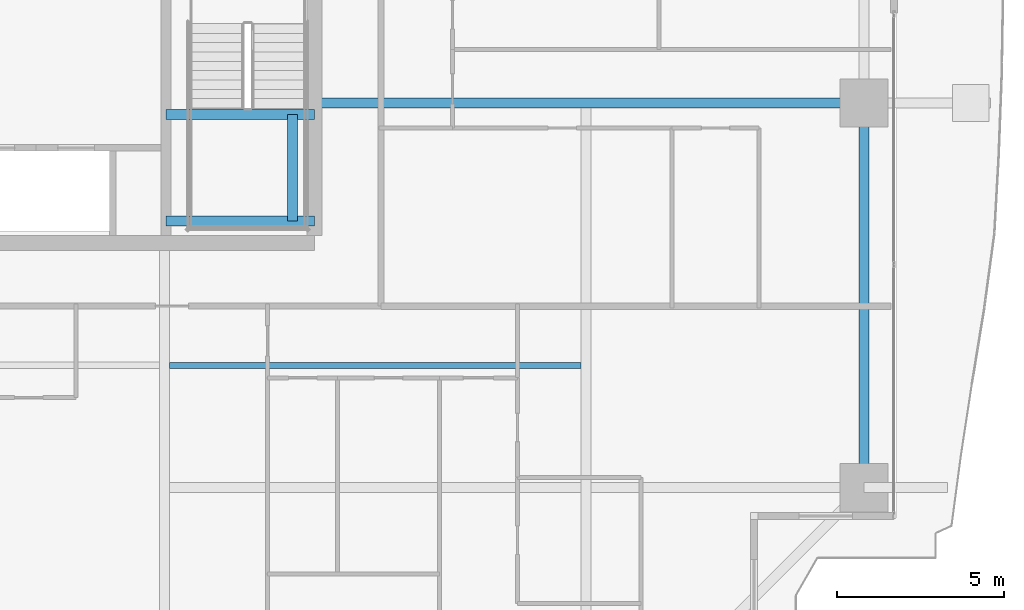
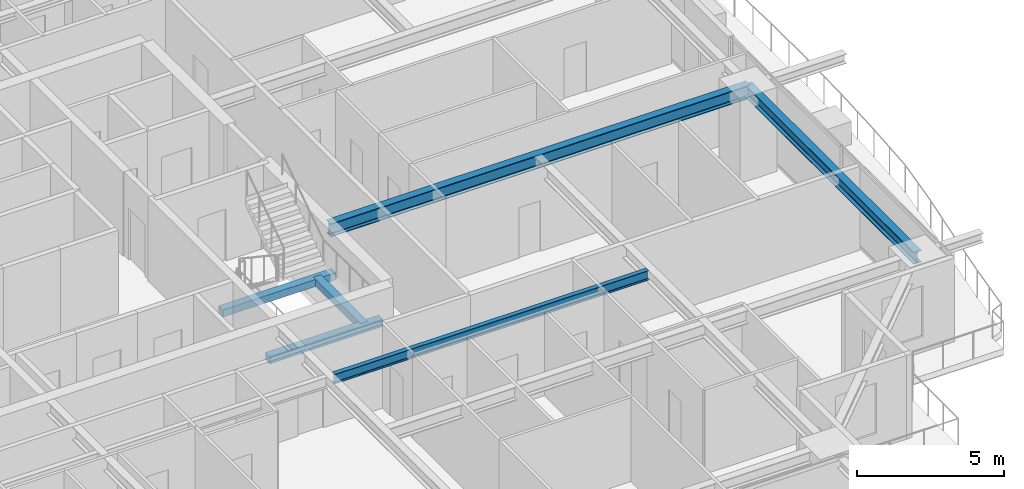
# One storey, part 14 of 39: 6 beams.
"""IFC4 building model written with IfcOpenShell, lengths in metres."""

from ifc_helpers import new_model, si_unit, direction, frame, origin, origin_2d, place, context, subcontext, project, spatial, rectangle, i_section, extrude, source, transform, mapped, material, material_profile, profile_set, type_object, element, save


model = new_model("IFC4")

# Units and contexts
model_context = context("Model", 3, precision=1e-05, world=origin(), true_north=direction((0.0, 1.0)))
body_context = subcontext(model_context, "Body", "Model", "MODEL_VIEW")
ifc_project = project(units=[si_unit("LENGTHUNIT", "METRE"), si_unit("AREAUNIT", "SQUARE_METRE"), si_unit("VOLUMEUNIT", "CUBIC_METRE"), si_unit("PLANEANGLEUNIT", "RADIAN"), si_unit("MASSUNIT", "GRAM", prefix="KILO")], contexts=[model_context])

# Site, building, storey
site_placement = place(None, origin())
site = spatial("IfcSite", under=ifc_project, at=site_placement, CompositionType="ELEMENT")
building_placement = place(site_placement, origin())
building = spatial("IfcBuilding", under=site, at=building_placement, Name="Serunith Strait Residences", CompositionType="ELEMENT")
storey_placement = place(building_placement, frame((0.0, 0.0, 94.199951171875)))
storey = spatial("IfcBuildingStorey", under=building, at=storey_placement, Name="L23", CompositionType="ELEMENT", Elevation=94.199951171875)

# Beams
ifc_material_1 = material(Name="Steel S355J2", Category="steel")
ifc_material_profile_1 = material_profile(ifc_material_1, i_section(OverallWidth=0.300048828125, OverallDepth=0.550048828125, WebThickness=0.014892578125, FlangeThickness=0.029052734375, FilletRadius=0.027099609375, at=origin_2d()), Name="HEB 550")
ifc_profile_set_1 = profile_set([ifc_material_profile_1], Name="Steel S355J2")
beam_type_1 = type_object("IfcBeamType", Name="BM-HEB550", PredefinedType="BEAM", material=ifc_profile_set_1)
shared_shape_1 = source(origin(), body_context, "Body", "SweptSolid", [
    extrude(i_section(OverallWidth=0.300048828125, OverallDepth=0.550048828125, WebThickness=0.014892578125, FlangeThickness=0.029052734375, FilletRadius=0.027099609375, at=origin_2d()), origin(), (0.0, 0.0, 1.0), 16.5),
])
beam_1_placement = place(storey_placement, frame((41.39990234375, 21.0, 3.212158203125), z_axis=(1.0, 0.0, 0.0), x_axis=(0.0, 1.0, 0.0)))
element("IfcBeam", 1, at=beam_1_placement, inside=storey, type_object=beam_type_1, Name="L23 Primary Floor Girder TC-E2", PredefinedType="BEAM", context=body_context, shape_type="MappedRepresentation", body=[
    mapped(shared_shape_1, transform((0.0, 0.0, 0.0), scale=1.0)),
])
ifc_material_profile_2 = material_profile(ifc_material_1, i_section(OverallWidth=0.300048828125, OverallDepth=0.5, WebThickness=0.014404296875, FlangeThickness=0.028076171875, FilletRadius=0.027099609375, at=origin_2d()), Name="HEB 500")
ifc_profile_set_2 = profile_set([ifc_material_profile_2], Name="Steel S355J2")
beam_type_2 = type_object("IfcBeamType", Name="BM-HEB500", PredefinedType="BEAM", material=ifc_profile_set_2)
shared_shape_2 = source(origin(), body_context, "Body", "SweptSolid", [
    extrude(i_section(OverallWidth=0.300048828125, OverallDepth=0.5, WebThickness=0.014404296875, FlangeThickness=0.028076171875, FilletRadius=0.027099609375, at=origin_2d()), origin(), (0.0, 0.0, 1.0), 11.550048828125),
])
beam_2_placement = place(storey_placement, frame((57.89990234375, 9.449951171875, 3.237060546875), z_axis=(0.0, 1.0, 0.0), x_axis=(-1.0, 0.0, 0.0)))
element("IfcBeam", 2, at=beam_2_placement, inside=storey, type_object=beam_type_2, Name="L23 Perimeter Ring Beam 05", PredefinedType="BEAM", context=body_context, shape_type="MappedRepresentation", body=[
    mapped(shared_shape_2, transform((0.0, 0.0, 0.0), scale=1.0)),
])
ifc_material_profile_3 = material_profile(ifc_material_1, i_section(OverallWidth=0.179931640625, OverallDepth=0.39990234375, WebThickness=0.008544921875, FlangeThickness=0.013427734375, FilletRadius=0.02099609375, at=origin_2d()), Name="IPE 400")
ifc_profile_set_3 = profile_set([ifc_material_profile_3], Name="Steel S355J2")
beam_type_3 = type_object("IfcBeamType", Name="BM-IPE400", PredefinedType="JOIST", material=ifc_profile_set_3)
shared_shape_3 = source(origin(), body_context, "Body", "SweptSolid", [
    extrude(i_section(OverallWidth=0.179931640625, OverallDepth=0.39990234375, WebThickness=0.008544921875, FlangeThickness=0.013427734375, FilletRadius=0.02099609375, at=origin_2d()), origin(), (0.0, 0.0, 1.0), 12.349853515625),
])
beam_3_placement = place(storey_placement, frame((37.050048828125, 13.125, 3.287109375), z_axis=(1.0, 0.0, 0.0), x_axis=(0.0, 1.0, 0.0)))
element("IfcBeam", 3, at=beam_3_placement, inside=storey, type_object=beam_type_3, Name="L23 Composite Floor Joist 03", PredefinedType="JOIST", context=body_context, shape_type="MappedRepresentation", body=[
    mapped(shared_shape_3, transform((0.0, 0.0, 0.0), scale=1.0)),
])
ifc_material_2 = material(Name="Concrete C60/75", Category="concrete")
ifc_material_profile_4 = material_profile(ifc_material_2, rectangle(XDim=0.300048828125, YDim=0.300048828125, at=origin_2d()), Name="RC 300x300")
ifc_profile_set_4 = profile_set([ifc_material_profile_4], Name="Concrete C60/75")
beam_type_4 = type_object("IfcBeamType", Name="BM-LAND-300x300", PredefinedType="BEAM", material=ifc_profile_set_4)
shared_shape_4 = source(origin(), body_context, "Body", "SweptSolid", [
    extrude(rectangle(XDim=0.300048828125, YDim=0.300048828125, at=origin_2d()), origin(), (0.0, 0.0, 1.0), 3.199951171875),
])
beam_4_placement = place(storey_placement, frame((40.75, 17.449951171875, 1.525146484375), z_axis=(0.0, 1.0, 0.0), x_axis=(-1.0, 0.0, 0.0)))
element("IfcBeam", 4, at=beam_4_placement, inside=storey, type_object=beam_type_4, Name="L23 ST-2 Landing Transverse Tie Beam", PredefinedType="BEAM", context=body_context, shape_type="MappedRepresentation", body=[
    mapped(shared_shape_4, transform((0.0, 0.0, 0.0), scale=1.0)),
])
shared_shape_5 = source(origin(), body_context, "Body", "SweptSolid", [
    extrude(rectangle(XDim=0.300048828125, YDim=0.300048828125, at=origin_2d()), origin(), (0.0, 0.0, 1.0), 4.449951171875),
])
for number, where, z_axis, x_axis, name in (
    (5, (36.949951171875, 17.449951171875, 1.525146484375), (1.0, 0.0, 0.0), (0.0, 1.0, 0.0), "L23 ST-2 Landing Support Beam 1"),
    (6, (36.949951171875, 20.64990234375, 1.525146484375), (1.0, 0.0, 0.0), (0.0, 1.0, 0.0), "L23 ST-2 Landing Support Beam 2"),
):
    element("IfcBeam", number, at=place(storey_placement, frame(where, z_axis=z_axis, x_axis=x_axis)), inside=storey, type_object=beam_type_4, Name=name, PredefinedType="BEAM", context=body_context, shape_type="MappedRepresentation", body=[
        mapped(shared_shape_5, transform((0.0, 0.0, 0.0), scale=1.0)),
    ])

save(model, "model.ifc")
